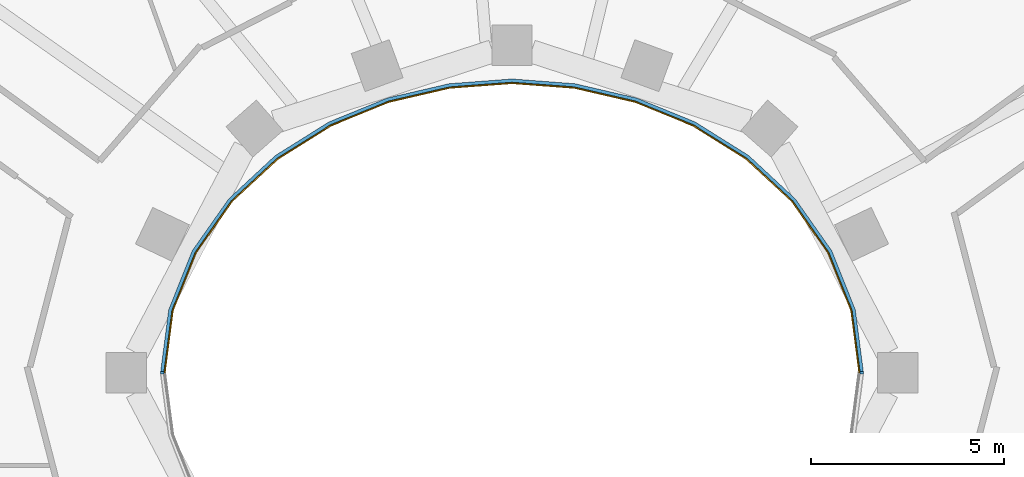
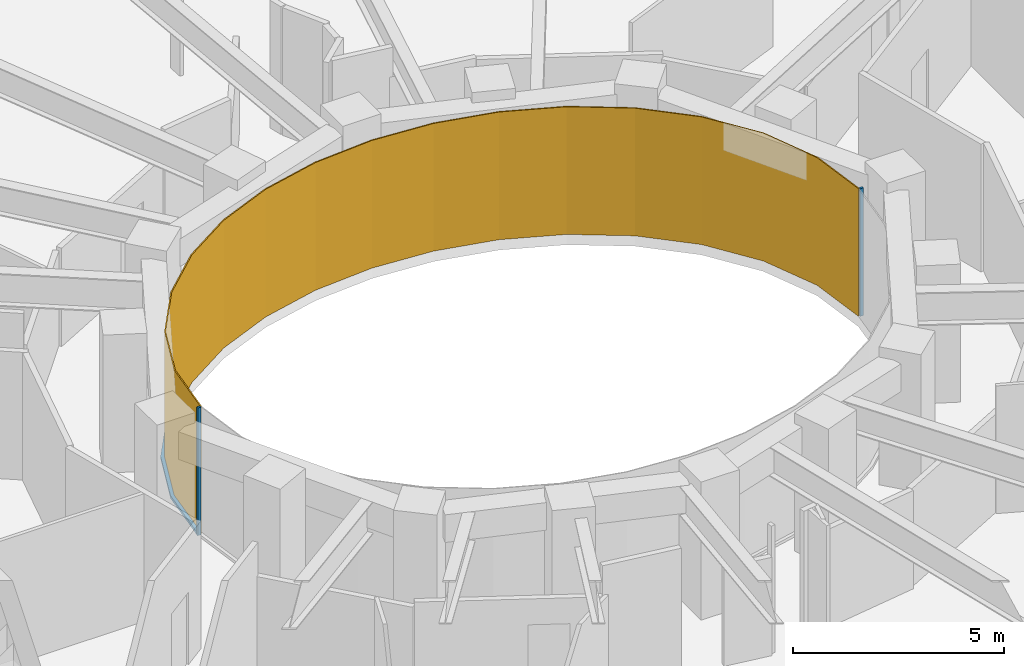
# One storey, part 13 of 17: 3 members, 1 curtain wall.
"""IFC4 building model written with IfcOpenShell, lengths in metres."""

from ifc_helpers import new_model, si_unit, direction, frame, origin, origin_2d, place, context, subcontext, project, spatial, polyline, rectangle, outline, extrude, material, layer, layer_set, material_profile, profile_set, type_object, element, aggregate, save


model = new_model("IFC4")

# Units and contexts
model_context = context("Model", 3, precision=1e-05, world=origin(), true_north=direction((0.0, 1.0)))
body_context = subcontext(model_context, "Body", "Model", "MODEL_VIEW")
ifc_project = project(units=[si_unit("LENGTHUNIT", "METRE"), si_unit("AREAUNIT", "SQUARE_METRE"), si_unit("VOLUMEUNIT", "CUBIC_METRE"), si_unit("PLANEANGLEUNIT", "RADIAN"), si_unit("MASSUNIT", "GRAM", prefix="KILO")], contexts=[model_context])

# Member
ifc_material_1 = material(Name="Steel S355 fire-resisting frame", Category="steel")
ifc_material_profile = material_profile(ifc_material_1, rectangle(XDim=0.090087890625, YDim=0.06005859375, at=origin_2d()), Name="90x60")
ifc_profile_set = profile_set([ifc_material_profile], Name="Steel S355 fire-resisting frame")
member_type_1 = type_object("IfcMemberType", Name="ENV-MULLION-W-90", PredefinedType="MULLION", material=ifc_profile_set)
site_placement = place(None, origin())
building_placement = place(site_placement, origin())
storey_placement = place(building_placement, frame((0.0, 0.0, 190.0)))
member_1_placement = place(storey_placement, frame((9.076904296875, 0.0, 0.0), z_axis=(0.0, 0.0, 1.0), x_axis=(1.0, 0.0, 0.0)))
member_1 = element("IfcMember", 1, at=member_1_placement, type_object=member_type_1, Name="Mullion W well vertex 01", PredefinedType="MULLION", context=body_context, shape_type="SweptSolid", body=[
    extrude(rectangle(XDim=0.090087890625, YDim=0.06005859375, at=origin_2d()), origin(), (0.0, 0.0, 1.0), 3.699951171875),
])

member_2_placement = place(storey_placement, frame((-9.076904296875, 0.0, 0.0), z_axis=(0.0, 0.0, 1.0), x_axis=(-1.0, 0.0, 0.0)))
member_2 = element("IfcMember", 2, at=member_2_placement, type_object=member_type_1, Name="Mullion W well vertex 17", PredefinedType="MULLION", context=body_context, shape_type="SweptSolid", body=[
    extrude(rectangle(XDim=0.090087890625, YDim=0.06005859375, at=origin_2d()), origin(), (0.0, 0.0, 1.0), 3.699951171875),
])

ifc_material_2 = material(Name="Steel S355 fire-resisting frame", Category="steel")
member_type_2 = type_object("IfcMemberType", Name="ENV-TRANSOM-W", PredefinedType="USERDEFINED", material=ifc_material_2)
member_3_placement = place(storey_placement, origin())
member_3 = element("IfcMember", 3, at=member_3_placement, type_object=member_type_2, Name="Transom W well 01-17", ObjectType="TRANSOM", PredefinedType="USERDEFINED", context=body_context, shape_type="SweptSolid", body=[
    extrude(outline(polyline([(9.119384765625, 0.02783203125), (8.910400390625, 1.63623046875), (8.29833984375, 3.167236328125), (7.35107421875, 4.5146484375), (6.1455078125, 5.6337890625), (4.75341796875, 6.50634765625), (3.233642578125, 7.127685546875), (1.635498046875, 7.498779296875), (0.0, 7.622314453125), (-1.635498046875, 7.498779296875), (-3.233642578125, 7.127685546875), (-4.75341796875, 6.50634765625), (-6.1455078125, 5.6337890625), (-7.35107421875, 4.5146484375), (-8.29833984375, 3.167236328125), (-8.910400390625, 1.63623046875), (-9.119384765625, 0.02783203125), (-9.02880859375, 0.02783203125), (-8.822509765625, 1.61328125), (-8.21875, 3.124267578125), (-7.282958984375, 4.455078125), (-6.090576171875, 5.56201171875), (-4.712158203125, 6.426025390625), (-3.206298828125, 7.04150390625), (-1.621826171875, 7.40966796875), (0.0, 7.531982421875), (1.621826171875, 7.40966796875), (3.206298828125, 7.04150390625), (4.712158203125, 6.426025390625), (6.090576171875, 5.56201171875), (7.282958984375, 4.455078125), (8.21875, 3.124267578125), (8.822509765625, 1.61328125), (9.02880859375, 0.02783203125), (9.119384765625, 0.02783203125)])), origin(), (0.0, 0.0, 1.0), 0.080078125),
])

# Site, building, storey
site = spatial("IfcSite", under=ifc_project, at=site_placement, CompositionType="ELEMENT")
building = spatial("IfcBuilding", under=site, at=building_placement, Name="Noorbagh Ring Tower", CompositionType="ELEMENT")
storey = spatial("IfcBuildingStorey", under=building, at=storey_placement, Name="L44", CompositionType="ELEMENT", Elevation=190.0)

# Curtain wall
ifc_material_3 = material(Name="Glass fire-resisting E60 laminated", Category="glass")
ifc_layer = layer(ifc_material_3, 0.031982421875)
ifc_layer_set = layer_set([ifc_layer], Name="Glass fire-resisting E60 laminated")
curtain_wall_type = type_object("IfcCurtainWallType", Name="ENV-CW-W", PredefinedType="NOTDEFINED", material=ifc_layer_set)
curtain_wall_placement = place(storey_placement, origin())
curtain_wall = element("IfcCurtainWall", 4, at=curtain_wall_placement, inside=storey, type_object=curtain_wall_type, Name="Curtain wall W W01", PredefinedType="NOTDEFINED", context=body_context, shape_type="SweptSolid", body=[
    extrude(outline(polyline([(9.0322265625, 0.0), (8.822509765625, 1.61328125), (8.21875, 3.124267578125), (7.282958984375, 4.455078125), (6.090576171875, 5.56201171875), (4.712158203125, 6.426025390625), (3.206298828125, 7.04150390625), (1.621826171875, 7.40966796875), (0.0, 7.531982421875), (-1.621826171875, 7.40966796875), (-3.206298828125, 7.04150390625), (-4.712158203125, 6.426025390625), (-6.090576171875, 5.56201171875), (-7.282958984375, 4.455078125), (-8.21875, 3.124267578125), (-8.822509765625, 1.61328125), (-9.0322265625, 0.0), (-9.0, 0.0), (-8.79150390625, 1.605224609375), (-8.1904296875, 3.10888671875), (-7.2587890625, 4.43408203125), (-6.071044921875, 5.53662109375), (-4.697509765625, 6.3974609375), (-3.196533203125, 7.010986328125), (-1.6171875, 7.3779296875), (0.0, 7.5), (1.6171875, 7.3779296875), (3.196533203125, 7.010986328125), (4.697509765625, 6.3974609375), (6.071044921875, 5.53662109375), (7.2587890625, 4.43408203125), (8.1904296875, 3.10888671875), (8.79150390625, 1.605224609375), (9.0, 0.0), (9.0322265625, 0.0)])), origin(), (0.0, 0.0, 1.0), 3.699951171875),
])

aggregate(curtain_wall, [member_1, member_2, member_3])

save(model, "model.ifc")
